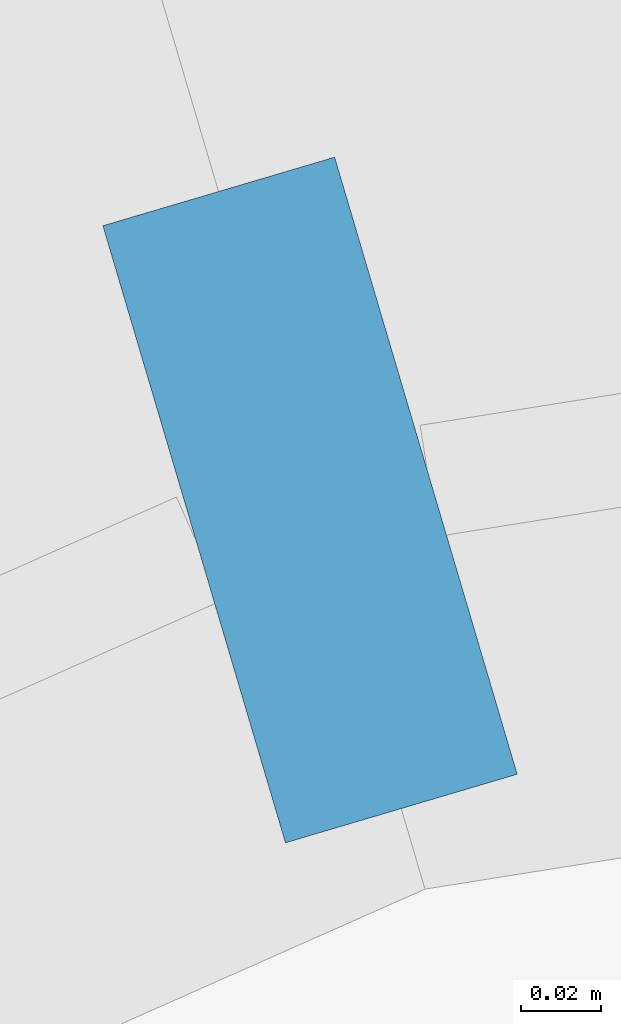
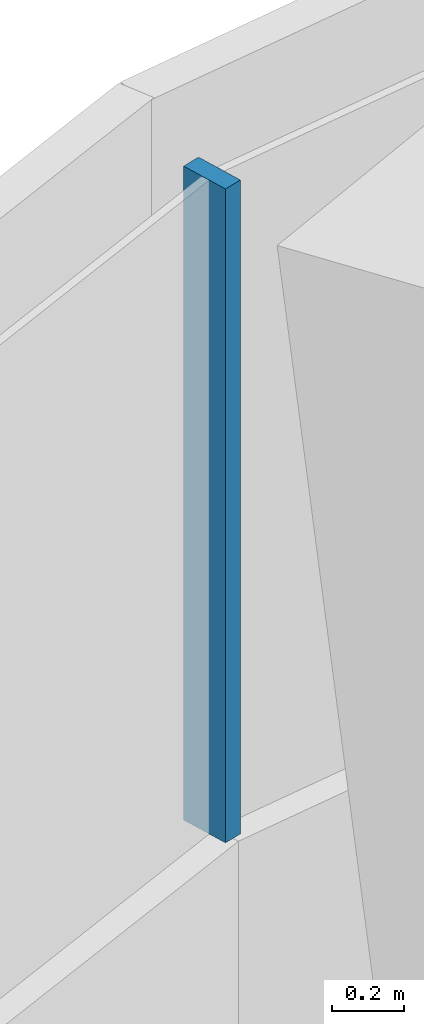
# One storey, part 17 of 35: 1 member, 1 element without a shape of its own.
"""IFC4 building model written with IfcOpenShell, lengths in metres."""

from ifc_helpers import new_model, si_unit, direction, frame, origin, origin_2d, place, context, subcontext, project, spatial, rectangle, extrude, material, layer, layer_set, material_profile, profile_set, type_object, element, aggregate, save


model = new_model("IFC4")

# Units and contexts
model_context = context("Model", 3, precision=1e-05, world=origin(), true_north=direction((0.0, 1.0)))
body_context = subcontext(model_context, "Body", "Model", "MODEL_VIEW")
ifc_project = project(units=[si_unit("LENGTHUNIT", "METRE"), si_unit("AREAUNIT", "SQUARE_METRE"), si_unit("VOLUMEUNIT", "CUBIC_METRE"), si_unit("PLANEANGLEUNIT", "RADIAN"), si_unit("MASSUNIT", "GRAM", prefix="KILO")], contexts=[model_context])

# Site, building, storey
site_placement = place(None, origin())
site = spatial("IfcSite", under=ifc_project, at=site_placement, CompositionType="ELEMENT")
building_placement = place(site_placement, origin())
building = spatial("IfcBuilding", under=site, at=building_placement, Name="Tamarind Cross Interchange Tower", CompositionType="ELEMENT")
storey_placement = place(building_placement, frame((0.0, 0.0, 121.0)))
storey = spatial("IfcBuildingStorey", under=building, at=storey_placement, Name="L29", CompositionType="ELEMENT", Elevation=121.0)

# Curtain wall, member
ifc_material = material(Name="Aluminium 6063-T6", Category="aluminium")
ifc_layer = layer(ifc_material, 0.159912109375)
ifc_layer_set = layer_set([ifc_layer], Name="Aluminium 6063-T6")
curtain_wall_type = type_object("IfcCurtainWallType", Name="Office curtain wall, 9.0 m bays", PredefinedType="NOTDEFINED", material=ifc_layer_set)
curtain_wall_placement = place(storey_placement, origin())
curtain_wall = element("IfcCurtainWall", 1, at=curtain_wall_placement, inside=storey, type_object=curtain_wall_type, Name="CWS-L29-09", PredefinedType="NOTDEFINED")
ifc_material_profile = material_profile(ifc_material, rectangle(XDim=0.06005859375, YDim=0.159912109375, at=origin_2d()), Name="Mullion CW1")
ifc_profile_set = profile_set([ifc_material_profile], Name="Aluminium 6063-T6")
member_type = type_object("IfcMemberType", Name="Mullion CW1", PredefinedType="MULLION", material=ifc_profile_set)
member_placement = place(storey_placement, frame((42.30615234375, 16.4990234375, 1.39990234375), z_axis=(0.0, 0.0, 1.0), x_axis=(-0.958917297167, -0.283685771926, 0.0)))
member = element("IfcMember", 2, at=member_placement, type_object=member_type, Name="CWM-L29-09-00", PredefinedType="MULLION", context=body_context, shape_type="SweptSolid", body=[
    extrude(rectangle(XDim=0.06005859375, YDim=0.159912109375, at=origin_2d()), origin(), (0.0, 0.0, 1.0), 2.210205078125),
])
aggregate(curtain_wall, [member])

save(model, "model.ifc")
